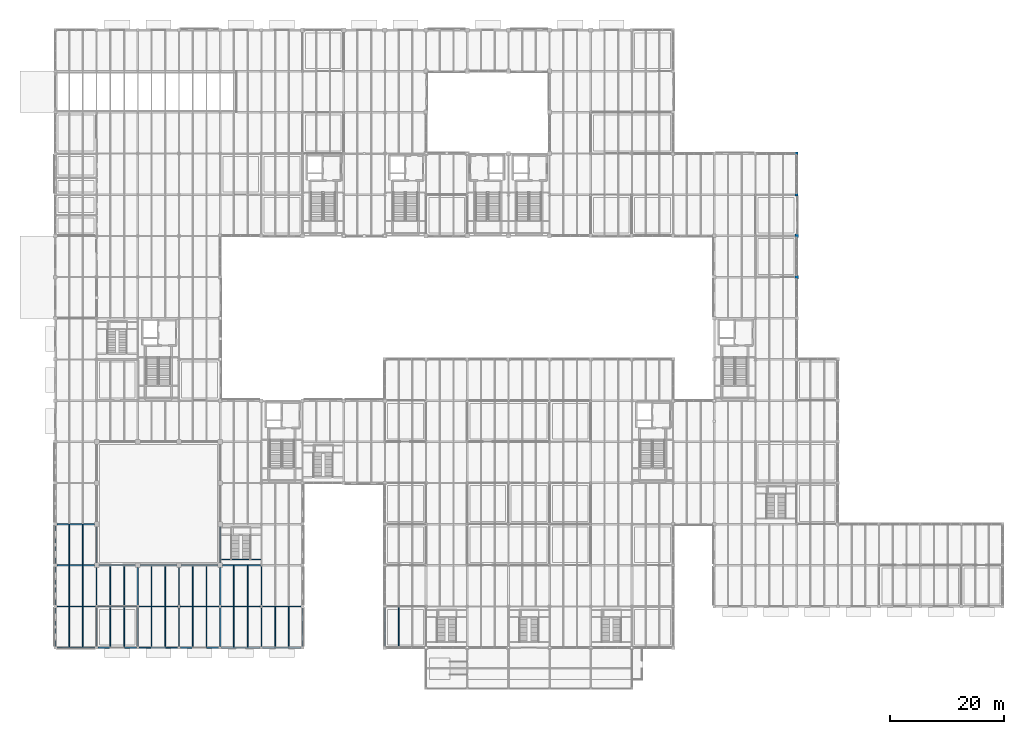
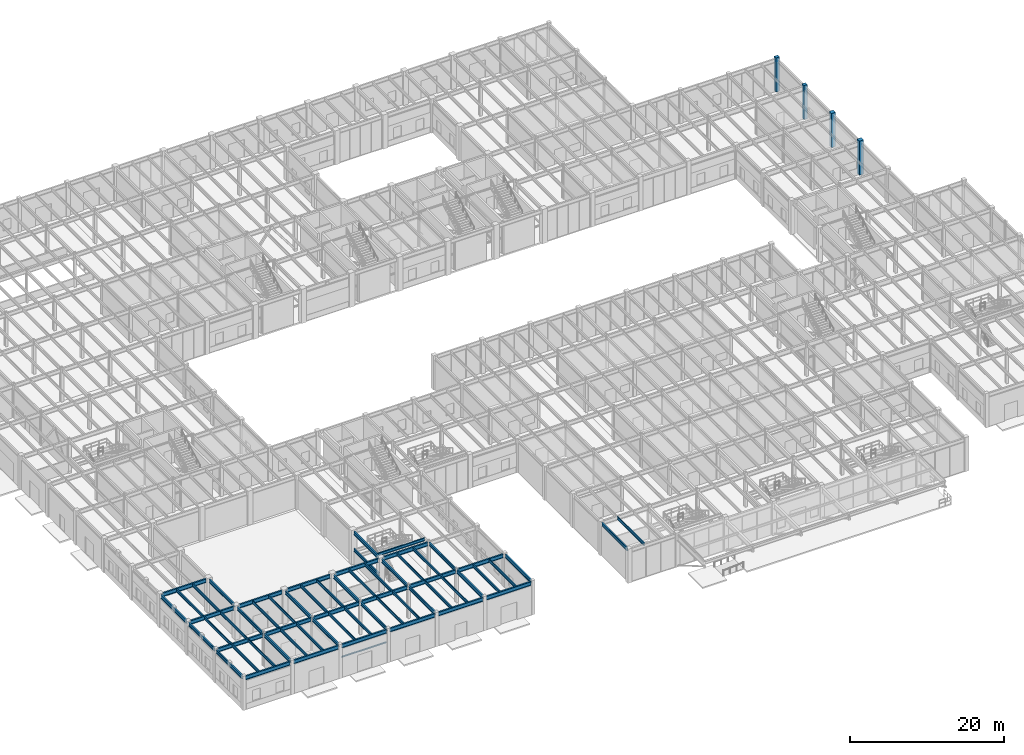
# One storey, part 18 of 97: 63 beams, 4 columns.
"""IFC4 building model written with IfcOpenShell, lengths in metres."""

import ifcopenshell
import ifcopenshell.guid

model = None  # the IFC model being written
_history = None  # IfcOwnerHistory: only IFC2X3 demands one
_inside = {}  # id of a spatial element -> (the spatial element, [elements in it])
_under = {}  # id of a project, library or spatial element -> (it, [spatial elements below it])
_declared = {}  # id of a project -> (the project, [libraries it declares])
_typed = {}  # id of a type object -> (the type object, [elements of that type])
_made_of = {}  # id of a material, layer set ... -> (it, [elements and type objects made of it])


def new_model(schema):
    """Start an empty IFC model of exactly this schema.

    Asked for "IFC4X3", IfcOpenShell would pick the latest addendum, in which some entities
    have other attributes; the version numbers below select the first issue.
    IFC2X3 requires an IfcOwnerHistory on every rooted entity: one is made here for all.
    """
    global model, _history
    if schema == "IFC4X3":
        model = ifcopenshell.file(schema_version=(4, 3, 0, 0))
    else:
        model = ifcopenshell.file(schema=schema)
    _inside.clear()
    _under.clear()
    _declared.clear()
    _typed.clear()
    _made_of.clear()
    _history = None
    if model.schema == "IFC2X3":
        org = make("IfcOrganization", Name="unknown")
        user = make(
            "IfcPersonAndOrganization",
            ThePerson=make("IfcPerson", FamilyName="unknown"),
            TheOrganization=org,
        )
        app = make(
            "IfcApplication",
            ApplicationDeveloper=org,
            Version="unknown",
            ApplicationFullName="unknown",
            ApplicationIdentifier="unknown",
        )
        _history = make(
            "IfcOwnerHistory",
            OwningUser=user,
            OwningApplication=app,
            ChangeAction="ADDED",
            CreationDate=0,
        )
    return model


def make(cls, **values):
    """One entity of the class cls with the attributes given. An attribute that is None is left unset."""
    return model.create_entity(
        cls, **{name: value for name, value in values.items() if value is not None}
    )


def rooted(cls, **values):
    """An entity with a GlobalId (a new one), such as an element, a storey or a relation."""
    return make(cls, GlobalId=ifcopenshell.guid.new(), OwnerHistory=_history, **values)


def si_unit(unit_type, name, prefix=None):
    """IfcSIUnit, for example si_unit("LENGTHUNIT", "METRE", prefix="MILLI")."""
    return make("IfcSIUnit", UnitType=unit_type, Prefix=prefix, Name=name)


def assignment(units):
    """IfcUnitAssignment: the units of a project."""
    return None if units is None else make("IfcUnitAssignment", Units=units)


def point(xyz):
    """IfcCartesianPoint."""
    return None if xyz is None else make("IfcCartesianPoint", Coordinates=xyz)


def direction(xyz):
    """IfcDirection."""
    return None if xyz is None else make("IfcDirection", DirectionRatios=xyz)


def frame(location, z_axis=None, x_axis=None):
    """IfcAxis2Placement3D, a coordinate frame: its origin and axes. An axis left out is left unset."""
    return make(
        "IfcAxis2Placement3D",
        Location=point(location),
        Axis=direction(z_axis),
        RefDirection=direction(x_axis),
    )


def frame_2d(location, x_axis=None):
    """IfcAxis2Placement2D, a coordinate frame in the plane: its origin and x axis."""
    return make(
        "IfcAxis2Placement2D", Location=point(location), RefDirection=direction(x_axis)
    )


def origin():
    """The frame at (0, 0, 0) with its axes left unset."""
    return frame((0.0, 0.0, 0.0))


def origin_2d():
    """The frame at (0, 0) in the plane with its x axis left unset."""
    return frame_2d((0.0, 0.0))


def place(relative_to, where):
    """IfcLocalPlacement: puts the frame where relative to a parent placement (None: the world)."""
    return make(
        "IfcLocalPlacement", PlacementRelTo=relative_to, RelativePlacement=where
    )


def context(
    kind, dimensions, precision=None, world=None, true_north=None, identifier=None
):
    """IfcGeometricRepresentationContext, for example the 3D "Model" context."""
    return make(
        "IfcGeometricRepresentationContext",
        ContextIdentifier=identifier,
        ContextType=kind,
        CoordinateSpaceDimension=dimensions,
        Precision=precision,
        WorldCoordinateSystem=world,
        TrueNorth=true_north,
    )


def subcontext(parent, identifier, kind, view, scale=None):
    """IfcGeometricRepresentationSubContext, for example "Body" below "Model"."""
    return make(
        "IfcGeometricRepresentationSubContext",
        ContextIdentifier=identifier,
        ContextType=kind,
        ParentContext=parent,
        TargetScale=scale,
        TargetView=view,
    )


def project(units=None, contexts=None):
    """IfcProject with its units and contexts."""
    return rooted(
        "IfcProject",
        Name="project",
        RepresentationContexts=contexts,
        UnitsInContext=assignment(units),
    )


def spatial(cls, under=None, at=None, **own):
    """A site, building, storey or space (cls), placed at a placement, below another one or the project."""
    s = rooted(cls, ObjectPlacement=at, **own)
    if under is not None:
        _under.setdefault(under.id(), (under, []))[1].append(s)
    return s


def profile(cls, at=None, kind="AREA", **sizes):
    """A parametric profile (cls). Its sizes go by their IFC names, for example OverallWidth=200.0."""
    return make(cls, ProfileType=kind, Position=at, **sizes)


def rectangle(**sizes):
    """IfcRectangleProfileDef."""
    return profile("IfcRectangleProfileDef", **sizes)


def i_section(**sizes):
    """IfcIShapeProfileDef."""
    return profile("IfcIShapeProfileDef", **sizes)


def extrude(swept, where, along, depth):
    """IfcExtrudedAreaSolid: the profile swept, set in the frame where, extruded along a direction by depth."""
    return make(
        "IfcExtrudedAreaSolid",
        SweptArea=swept,
        Position=where,
        ExtrudedDirection=direction(along),
        Depth=depth,
    )


def shape(context_of_items, identifier, shape_type, items):
    """IfcShapeRepresentation: the items that make up one representation, for example the "Body"."""
    return make(
        "IfcShapeRepresentation",
        ContextOfItems=context_of_items,
        RepresentationIdentifier=identifier,
        RepresentationType=shape_type,
        Items=items,
    )


def material(Name=None, Category=None):
    """IfcMaterial."""
    return make("IfcMaterial", Name=Name, Category=Category)


def material_profile(
    of_material, cross_section, Name=None, Category=None, Priority=None
):
    """IfcMaterialProfile: a cross section and its material."""
    return make(
        "IfcMaterialProfile",
        Name=Name,
        Material=of_material,
        Profile=cross_section,
        Priority=Priority,
        Category=Category,
    )


def profile_set(profiles, Name=None, composite=None):
    """IfcMaterialProfileSet."""
    return make(
        "IfcMaterialProfileSet",
        Name=Name,
        MaterialProfiles=profiles,
        CompositeProfile=composite,
    )


def made_of(thing, what):
    """Note that an element or type object is made of a material, layer set ...; save() writes the relation."""
    if what is not None:
        _made_of.setdefault(what.id(), (what, []))[1].append(thing)
    return thing


def type_object(cls, material=None, **own):
    """A type object (cls), such as IfcWallType, which elements share."""
    return made_of(rooted(cls, **own), material)


def element(
    cls,
    number,
    at=None,
    inside=None,
    cuts=None,
    type_object=None,
    material=None,
    context=None,
    identifier="Body",
    shape_type=None,
    held_by="IfcProductDefinitionShape",
    body=None,
    shapes=None,
    **own,
):
    """One element of the class cls, such as IfcWall. Its Tag is "e" and its number.

    at: its placement. inside: the storey or other place that contains it. cuts: it is an
    opening in that element (IfcRelVoidsElement). A single representation is given by context,
    identifier, shape_type and body (its items); several are given by shapes. held_by: the class
    of the entity that holds the representations. save() writes the other relations.
    """
    e = rooted(cls, Tag="e%d" % number, ObjectPlacement=at, **own)
    if body is not None:
        shapes = [shape(context, identifier, shape_type, body)]
    if shapes is not None:
        e.Representation = make(held_by, Representations=shapes)
    if inside is not None:
        _inside.setdefault(inside.id(), (inside, []))[1].append(e)
    if cuts is not None:
        rooted(
            "IfcRelVoidsElement", RelatingBuildingElement=cuts, RelatedOpeningElement=e
        )
    if type_object is not None:
        _typed.setdefault(type_object.id(), (type_object, []))[1].append(e)
    return made_of(e, material)


def aggregate(whole, parts):
    """IfcRelAggregates: a whole, such as a stair, and the parts it consists of."""
    return rooted("IfcRelAggregates", RelatingObject=whole, RelatedObjects=parts)


def save(model, path):
    """Write the relations noted so far, then the file.

    IfcRelAggregates (storeys below a building ...), IfcRelContainedInSpatialStructure (elements
    in a storey), IfcRelDefinesByType, IfcRelAssociatesMaterial and IfcRelDeclares: one each for
    every whole, place, type object, material and project.
    """
    for whole, parts in _under.values():
        aggregate(whole, parts)
    for where, things in _inside.values():
        rooted(
            "IfcRelContainedInSpatialStructure",
            RelatedElements=things,
            RelatingStructure=where,
        )
    for kind, things in _typed.values():
        rooted("IfcRelDefinesByType", RelatedObjects=things, RelatingType=kind)
    for what, things in _made_of.values():
        rooted("IfcRelAssociatesMaterial", RelatedObjects=things, RelatingMaterial=what)
    for by, libraries in _declared.values():
        rooted("IfcRelDeclares", RelatingContext=by, RelatedDefinitions=libraries)
    model.write(path)


model = new_model("IFC4")

# Units and contexts
model_context = context("Model", 3, precision=1e-05, world=origin(), true_north=direction((0.0, 1.0)))
body_context = subcontext(model_context, "Body", "Model", "MODEL_VIEW")
ifc_project = project(units=[si_unit("LENGTHUNIT", "METRE"), si_unit("AREAUNIT", "SQUARE_METRE"), si_unit("VOLUMEUNIT", "CUBIC_METRE"), si_unit("PLANEANGLEUNIT", "RADIAN"), si_unit("MASSUNIT", "GRAM", prefix="KILO")], contexts=[model_context])

# Site, building, storey
site_placement = place(None, origin())
site = spatial("IfcSite", under=ifc_project, at=site_placement, CompositionType="ELEMENT")
building_placement = place(site_placement, origin())
building = spatial("IfcBuilding", under=site, at=building_placement, Name="Sillqori Civic Hall", CompositionType="ELEMENT")
storey_placement = place(building_placement, origin())
storey = spatial("IfcBuildingStorey", under=building, at=storey_placement, Name="L01", CompositionType="ELEMENT", Elevation=0.0)

# Columns
ifc_material_1 = material(Name="Concrete C35/45 (H35)", Category="concrete")
ifc_material_profile_1 = material_profile(ifc_material_1, rectangle(XDim=0.5, YDim=0.5, at=origin_2d()), Name="RC 500x500")
ifc_profile_set_1 = profile_set([ifc_material_profile_1], Name="Concrete C35/45 (H35)")
column_type_1 = type_object("IfcColumnType", Name="COL-RC500", PredefinedType="COLUMN", material=ifc_profile_set_1)
for number, where, z_axis, x_axis, name in (
    (1, (136.800048828125, 86.39990234375, 0.0), (0.0, 0.0, 1.0), (1.0, 0.0, 0.0), "L01 column 19-12"),
    (2, (136.800048828125, 93.60009765625, 0.0), (0.0, 0.0, 1.0), (1.0, 0.0, 0.0), "L01 column 19-13"),
):
    element("IfcColumn", number, at=place(storey_placement, frame(where, z_axis=z_axis, x_axis=x_axis)), inside=storey, type_object=column_type_1, Name=name, PredefinedType="COLUMN", context=body_context, shape_type="SweptSolid", body=[
        extrude(rectangle(XDim=0.5, YDim=0.5, at=origin_2d()), origin(), (0.0, 0.0, 1.0), 5.39990234375),
    ])
ifc_material_profile_2 = material_profile(ifc_material_1, rectangle(XDim=0.60009765625, YDim=0.60009765625, at=origin_2d()), Name="RC 600x600")
ifc_profile_set_2 = profile_set([ifc_material_profile_2], Name="Concrete C35/45 (H35)")
column_type_2 = type_object("IfcColumnType", Name="COL-RC600", PredefinedType="COLUMN", material=ifc_profile_set_2)
for number, where, z_axis, x_axis, name in (
    (3, (136.800048828125, 72.0, 0.0), (0.0, 0.0, 1.0), (1.0, 0.0, 0.0), "L01 column 19-10"),
    (4, (136.800048828125, 79.199951171875, 0.0), (0.0, 0.0, 1.0), (1.0, 0.0, 0.0), "L01 column 19-11"),
):
    element("IfcColumn", number, at=place(storey_placement, frame(where, z_axis=z_axis, x_axis=x_axis)), inside=storey, type_object=column_type_2, Name=name, PredefinedType="COLUMN", context=body_context, shape_type="SweptSolid", body=[
        extrude(rectangle(XDim=0.60009765625, YDim=0.60009765625, at=origin_2d()), origin(), (0.0, 0.0, 1.0), 5.39990234375),
    ])

# Beams
ifc_material_2 = material(Name="Steel ASTM A992", Category="steel")
ifc_material_profile_3 = material_profile(ifc_material_2, i_section(OverallWidth=0.19091796875, OverallDepth=0.4599609375, WebThickness=0.010009765625, FlangeThickness=0.01611328125, FilletRadius=0.012939453125, at=origin_2d()), Name="W18X55")
ifc_profile_set_3 = profile_set([ifc_material_profile_3], Name="Steel ASTM A992")
beam_type_1 = type_object("IfcBeamType", Name="BM-W18X55", PredefinedType="BEAM", material=ifc_profile_set_3)
beam_1_placement = place(storey_placement, frame((36.0, 21.968994140625, 2.27490234375), z_axis=(0.0, 1.0, 0.0), x_axis=(-1.0, 0.0, 0.0)))
element("IfcBeam", 5, at=beam_1_placement, inside=storey, type_object=beam_type_1, Name="Council Foyer Ceremonial Stair L01-L02 landing stringer girder W", PredefinedType="BEAM", context=body_context, shape_type="SweptSolid", body=[
    extrude(i_section(OverallWidth=0.19091796875, OverallDepth=0.4599609375, WebThickness=0.010009765625, FlangeThickness=0.01611328125, FilletRadius=0.012939453125, at=origin_2d()), origin(), (0.0, 0.0, 1.0), 6.4619140625),
])
beam_2_placement = place(storey_placement, frame((36.0400390625, 22.60009765625, 4.97509765625), z_axis=(1.0, 0.0, 0.0), x_axis=(0.0, 1.0, 0.0)))
element("IfcBeam", 6, at=beam_2_placement, inside=storey, type_object=beam_type_1, Name="Council Foyer Ceremonial Stair L01-L02 upper arrival trimmer beam", PredefinedType="BEAM", context=body_context, shape_type="SweptSolid", body=[
    extrude(i_section(OverallWidth=0.19091796875, OverallDepth=0.4599609375, WebThickness=0.010009765625, FlangeThickness=0.01611328125, FilletRadius=0.012939453125, at=origin_2d()), origin(), (0.0, 0.0, 1.0), 7.119873046875),
])
ifc_material_profile_4 = material_profile(ifc_material_2, i_section(OverallWidth=0.2099609375, OverallDepth=0.532958984375, WebThickness=0.01025390625, FlangeThickness=0.015625, FilletRadius=0.013916015625, at=origin_2d()), Name="W21X62")
ifc_profile_set_4 = profile_set([ifc_material_profile_4], Name="Steel ASTM A992")
beam_type_2 = type_object("IfcBeamType", Name="BM-W21X62", PredefinedType="BEAM", material=ifc_profile_set_4)
beam_3_placement = place(storey_placement, frame((7.199951171875, 7.444091796875, 4.93359375), z_axis=(0.0, 1.0, 0.0), x_axis=(-1.0, 0.0, 0.0)))
element("IfcBeam", 7, at=beam_3_placement, inside=storey, type_object=beam_type_2, Name="L01 girder Y 1-1", PredefinedType="BEAM", context=body_context, shape_type="SweptSolid", body=[
    extrude(i_section(OverallWidth=0.2099609375, OverallDepth=0.532958984375, WebThickness=0.01025390625, FlangeThickness=0.015625, FilletRadius=0.013916015625, at=origin_2d()), origin(), (0.0, 0.0, 1.0), 6.7119140625),
])
beam_4_placement = place(storey_placement, frame((7.199951171875, 14.64404296875, 4.93359375), z_axis=(0.0, 1.0, 0.0), x_axis=(-1.0, 0.0, 0.0)))
element("IfcBeam", 8, at=beam_4_placement, inside=storey, type_object=beam_type_2, Name="L01 girder Y 1-2", PredefinedType="BEAM", context=body_context, shape_type="SweptSolid", body=[
    extrude(i_section(OverallWidth=0.2099609375, OverallDepth=0.532958984375, WebThickness=0.01025390625, FlangeThickness=0.015625, FilletRadius=0.013916015625, at=origin_2d()), origin(), (0.0, 0.0, 1.0), 6.661865234375),
])
beam_5_placement = place(storey_placement, frame((7.199951171875, 21.89404296875, 4.93359375), z_axis=(0.0, 1.0, 0.0), x_axis=(-1.0, 0.0, 0.0)))
element("IfcBeam", 9, at=beam_5_placement, inside=storey, type_object=beam_type_2, Name="L01 girder Y 1-3", PredefinedType="BEAM", context=body_context, shape_type="SweptSolid", body=[
    extrude(i_section(OverallWidth=0.2099609375, OverallDepth=0.532958984375, WebThickness=0.01025390625, FlangeThickness=0.015625, FilletRadius=0.013916015625, at=origin_2d()), origin(), (0.0, 0.0, 1.0), 6.612060546875),
])
beam_6_placement = place(storey_placement, frame((14.39990234375, 7.444091796875, 4.93359375), z_axis=(0.0, 1.0, 0.0), x_axis=(-1.0, 0.0, 0.0)))
element("IfcBeam", 10, at=beam_6_placement, inside=storey, type_object=beam_type_2, Name="L01 girder Y 2-1", PredefinedType="BEAM", context=body_context, shape_type="SweptSolid", body=[
    extrude(i_section(OverallWidth=0.2099609375, OverallDepth=0.532958984375, WebThickness=0.01025390625, FlangeThickness=0.015625, FilletRadius=0.013916015625, at=origin_2d()), origin(), (0.0, 0.0, 1.0), 6.781494140625),
])
beam_7_placement = place(storey_placement, frame((14.39990234375, 14.574462890625, 4.93359375), z_axis=(0.0, 1.0, 0.0), x_axis=(-1.0, 0.0, 0.0)))
element("IfcBeam", 11, at=beam_7_placement, inside=storey, type_object=beam_type_2, Name="L01 girder Y 2-2", PredefinedType="BEAM", context=body_context, shape_type="SweptSolid", body=[
    extrude(i_section(OverallWidth=0.2099609375, OverallDepth=0.532958984375, WebThickness=0.01025390625, FlangeThickness=0.015625, FilletRadius=0.013916015625, at=origin_2d()), origin(), (0.0, 0.0, 1.0), 6.656494140625),
])
beam_8_placement = place(storey_placement, frame((14.39990234375, 21.968994140625, 4.93359375), z_axis=(0.0, 1.0, 0.0), x_axis=(-1.0, 0.0, 0.0)))
element("IfcBeam", 12, at=beam_8_placement, inside=storey, type_object=beam_type_2, Name="L01 girder Y 2-3", PredefinedType="BEAM", context=body_context, shape_type="SweptSolid", body=[
    extrude(i_section(OverallWidth=0.2099609375, OverallDepth=0.532958984375, WebThickness=0.01025390625, FlangeThickness=0.015625, FilletRadius=0.013916015625, at=origin_2d()), origin(), (0.0, 0.0, 1.0), 6.4619140625),
])
beam_9_placement = place(storey_placement, frame((21.60009765625, 7.444091796875, 4.93359375), z_axis=(0.0, 1.0, 0.0), x_axis=(-1.0, 0.0, 0.0)))
element("IfcBeam", 13, at=beam_9_placement, inside=storey, type_object=beam_type_2, Name="L01 girder Y 3-1", PredefinedType="BEAM", context=body_context, shape_type="SweptSolid", body=[
    extrude(i_section(OverallWidth=0.2099609375, OverallDepth=0.532958984375, WebThickness=0.01025390625, FlangeThickness=0.015625, FilletRadius=0.013916015625, at=origin_2d()), origin(), (0.0, 0.0, 1.0), 6.781494140625),
])
beam_10_placement = place(storey_placement, frame((21.60009765625, 14.574462890625, 4.93359375), z_axis=(0.0, 1.0, 0.0), x_axis=(-1.0, 0.0, 0.0)))
element("IfcBeam", 14, at=beam_10_placement, inside=storey, type_object=beam_type_2, Name="L01 girder Y 3-2", PredefinedType="BEAM", context=body_context, shape_type="SweptSolid", body=[
    extrude(i_section(OverallWidth=0.2099609375, OverallDepth=0.532958984375, WebThickness=0.01025390625, FlangeThickness=0.015625, FilletRadius=0.013916015625, at=origin_2d()), origin(), (0.0, 0.0, 1.0), 6.656494140625),
])
beam_11_placement = place(storey_placement, frame((28.800048828125, 7.444091796875, 4.93359375), z_axis=(0.0, 1.0, 0.0), x_axis=(-1.0, 0.0, 0.0)))
element("IfcBeam", 15, at=beam_11_placement, inside=storey, type_object=beam_type_2, Name="L01 girder Y 4-1", PredefinedType="BEAM", context=body_context, shape_type="SweptSolid", body=[
    extrude(i_section(OverallWidth=0.2099609375, OverallDepth=0.532958984375, WebThickness=0.01025390625, FlangeThickness=0.015625, FilletRadius=0.013916015625, at=origin_2d()), origin(), (0.0, 0.0, 1.0), 6.781494140625),
])
beam_12_placement = place(storey_placement, frame((28.800048828125, 14.574462890625, 4.93359375), z_axis=(0.0, 1.0, 0.0), x_axis=(-1.0, 0.0, 0.0)))
element("IfcBeam", 16, at=beam_12_placement, inside=storey, type_object=beam_type_2, Name="L01 girder Y 4-2", PredefinedType="BEAM", context=body_context, shape_type="SweptSolid", body=[
    extrude(i_section(OverallWidth=0.2099609375, OverallDepth=0.532958984375, WebThickness=0.01025390625, FlangeThickness=0.015625, FilletRadius=0.013916015625, at=origin_2d()), origin(), (0.0, 0.0, 1.0), 6.656494140625),
])
beam_13_placement = place(storey_placement, frame((36.0, 7.444091796875, 4.93359375), z_axis=(0.0, 1.0, 0.0), x_axis=(-1.0, 0.0, 0.0)))
element("IfcBeam", 17, at=beam_13_placement, inside=storey, type_object=beam_type_2, Name="L01 girder Y 5-1", PredefinedType="BEAM", context=body_context, shape_type="SweptSolid", body=[
    extrude(i_section(OverallWidth=0.2099609375, OverallDepth=0.532958984375, WebThickness=0.01025390625, FlangeThickness=0.015625, FilletRadius=0.013916015625, at=origin_2d()), origin(), (0.0, 0.0, 1.0), 6.781494140625),
])
beam_14_placement = place(storey_placement, frame((36.0, 14.574462890625, 4.93359375), z_axis=(0.0, 1.0, 0.0), x_axis=(-1.0, 0.0, 0.0)))
element("IfcBeam", 18, at=beam_14_placement, inside=storey, type_object=beam_type_2, Name="L01 girder Y 5-2", PredefinedType="BEAM", context=body_context, shape_type="SweptSolid", body=[
    extrude(i_section(OverallWidth=0.2099609375, OverallDepth=0.532958984375, WebThickness=0.01025390625, FlangeThickness=0.015625, FilletRadius=0.013916015625, at=origin_2d()), origin(), (0.0, 0.0, 1.0), 6.656494140625),
])
beam_15_placement = place(storey_placement, frame((36.0, 21.968994140625, 4.93359375), z_axis=(0.0, 1.0, 0.0), x_axis=(-1.0, 0.0, 0.0)))
element("IfcBeam", 19, at=beam_15_placement, inside=storey, type_object=beam_type_2, Name="L01 girder Y 5-3", PredefinedType="BEAM", context=body_context, shape_type="SweptSolid", body=[
    extrude(i_section(OverallWidth=0.2099609375, OverallDepth=0.532958984375, WebThickness=0.01025390625, FlangeThickness=0.015625, FilletRadius=0.013916015625, at=origin_2d()), origin(), (0.0, 0.0, 1.0), 6.4619140625),
])
beam_16_placement = place(storey_placement, frame((43.199951171875, 7.444091796875, 4.93359375), z_axis=(0.0, 1.0, 0.0), x_axis=(-1.0, 0.0, 0.0)))
element("IfcBeam", 20, at=beam_16_placement, inside=storey, type_object=beam_type_2, Name="L01 girder Y 6-1", PredefinedType="BEAM", context=body_context, shape_type="SweptSolid", body=[
    extrude(i_section(OverallWidth=0.2099609375, OverallDepth=0.532958984375, WebThickness=0.01025390625, FlangeThickness=0.015625, FilletRadius=0.013916015625, at=origin_2d()), origin(), (0.0, 0.0, 1.0), 6.781494140625),
])
beam_17_placement = place(storey_placement, frame((43.199951171875, 14.574462890625, 4.93359375), z_axis=(0.0, 1.0, 0.0), x_axis=(-1.0, 0.0, 0.0)))
element("IfcBeam", 21, at=beam_17_placement, inside=storey, type_object=beam_type_2, Name="L01 girder Y 6-2", PredefinedType="BEAM", context=body_context, shape_type="SweptSolid", body=[
    extrude(i_section(OverallWidth=0.2099609375, OverallDepth=0.532958984375, WebThickness=0.01025390625, FlangeThickness=0.015625, FilletRadius=0.013916015625, at=origin_2d()), origin(), (0.0, 0.0, 1.0), 6.84765625),
])
beam_18_placement = place(storey_placement, frame((50.39990234375, 7.444091796875, 4.93359375), z_axis=(0.0, 1.0, 0.0), x_axis=(-1.0, 0.0, 0.0)))
element("IfcBeam", 22, at=beam_18_placement, inside=storey, type_object=beam_type_2, Name="L01 girder Y 7-1", PredefinedType="BEAM", context=body_context, shape_type="SweptSolid", body=[
    extrude(i_section(OverallWidth=0.2099609375, OverallDepth=0.532958984375, WebThickness=0.01025390625, FlangeThickness=0.015625, FilletRadius=0.013916015625, at=origin_2d()), origin(), (0.0, 0.0, 1.0), 6.7119140625),
])
beam_19_placement = place(storey_placement, frame((64.800048828125, 7.493896484375, 4.93359375), z_axis=(0.0, 1.0, 0.0), x_axis=(-1.0, 0.0, 0.0)))
element("IfcBeam", 23, at=beam_19_placement, inside=storey, type_object=beam_type_2, Name="L01 girder Y 9-1", PredefinedType="BEAM", context=body_context, shape_type="SweptSolid", body=[
    extrude(i_section(OverallWidth=0.2099609375, OverallDepth=0.532958984375, WebThickness=0.01025390625, FlangeThickness=0.015625, FilletRadius=0.013916015625, at=origin_2d()), origin(), (0.0, 0.0, 1.0), 6.612060546875),
])
ifc_material_profile_5 = material_profile(ifc_material_2, i_section(OverallWidth=0.22802734375, OverallDepth=0.60205078125, WebThickness=0.010498046875, FlangeThickness=0.014892578125, FilletRadius=0.014892578125, at=origin_2d()), Name="W24X68")
ifc_profile_set_5 = profile_set([ifc_material_profile_5], Name="Steel ASTM A992")
beam_type_3 = type_object("IfcBeamType", Name="BM-W24X68", PredefinedType="BEAM", material=ifc_profile_set_5)
beam_20_placement = place(storey_placement, frame((7.444091796875, 7.199951171875, 4.89892578125), z_axis=(1.0, 0.0, 0.0), x_axis=(0.0, 1.0, 0.0)))
element("IfcBeam", 24, at=beam_20_placement, inside=storey, type_object=beam_type_3, Name="L01 girder X 1-1", PredefinedType="BEAM", context=body_context, shape_type="SweptSolid", body=[
    extrude(i_section(OverallWidth=0.22802734375, OverallDepth=0.60205078125, WebThickness=0.010498046875, FlangeThickness=0.014892578125, FilletRadius=0.014892578125, at=origin_2d()), origin(), (0.0, 0.0, 1.0), 6.7119140625),
])
beam_21_placement = place(storey_placement, frame((7.444091796875, 14.39990234375, 4.89892578125), z_axis=(1.0, 0.0, 0.0), x_axis=(0.0, 1.0, 0.0)))
element("IfcBeam", 25, at=beam_21_placement, inside=storey, type_object=beam_type_3, Name="L01 girder X 1-2", PredefinedType="BEAM", context=body_context, shape_type="SweptSolid", body=[
    extrude(i_section(OverallWidth=0.22802734375, OverallDepth=0.60205078125, WebThickness=0.010498046875, FlangeThickness=0.014892578125, FilletRadius=0.014892578125, at=origin_2d()), origin(), (0.0, 0.0, 1.0), 6.7763671875),
])
for number, where, z_axis, x_axis, name in (
    (26, (7.493896484375, 21.60009765625, 4.89892578125), (1.0, 0.0, 0.0), (0.0, 1.0, 0.0), "L01 girder X 1-3"),
    (27, (7.493896484375, 28.800048828125, 4.89892578125), (1.0, 0.0, 0.0), (0.0, 1.0, 0.0), "L01 girder X 1-4"),
):
    element("IfcBeam", number, at=place(storey_placement, frame(where, z_axis=z_axis, x_axis=x_axis)), inside=storey, type_object=beam_type_3, Name=name, PredefinedType="BEAM", context=body_context, shape_type="SweptSolid", body=[
        extrude(i_section(OverallWidth=0.22802734375, OverallDepth=0.60205078125, WebThickness=0.010498046875, FlangeThickness=0.014892578125, FilletRadius=0.014892578125, at=origin_2d()), origin(), (0.0, 0.0, 1.0), 6.537109375),
    ])
beam_22_placement = place(storey_placement, frame((14.64404296875, 7.199951171875, 4.89892578125), z_axis=(1.0, 0.0, 0.0), x_axis=(0.0, 1.0, 0.0)))
element("IfcBeam", 28, at=beam_22_placement, inside=storey, type_object=beam_type_3, Name="L01 girder X 2-1", PredefinedType="BEAM", context=body_context, shape_type="SweptSolid", body=[
    extrude(i_section(OverallWidth=0.22802734375, OverallDepth=0.60205078125, WebThickness=0.010498046875, FlangeThickness=0.014892578125, FilletRadius=0.014892578125, at=origin_2d()), origin(), (0.0, 0.0, 1.0), 6.7119140625),
])
beam_23_placement = place(storey_placement, frame((14.57958984375, 14.39990234375, 4.89892578125), z_axis=(1.0, 0.0, 0.0), x_axis=(0.0, 1.0, 0.0)))
element("IfcBeam", 29, at=beam_23_placement, inside=storey, type_object=beam_type_3, Name="L01 girder X 2-2", PredefinedType="BEAM", context=body_context, shape_type="SweptSolid", body=[
    extrude(i_section(OverallWidth=0.22802734375, OverallDepth=0.60205078125, WebThickness=0.010498046875, FlangeThickness=0.014892578125, FilletRadius=0.014892578125, at=origin_2d()), origin(), (0.0, 0.0, 1.0), 6.8408203125),
])
beam_24_placement = place(storey_placement, frame((14.76904296875, 21.60009765625, 4.89892578125), z_axis=(1.0, 0.0, 0.0), x_axis=(0.0, 1.0, 0.0)))
element("IfcBeam", 30, at=beam_24_placement, inside=storey, type_object=beam_type_3, Name="L01 girder X 2-3", PredefinedType="BEAM", context=body_context, shape_type="SweptSolid", body=[
    extrude(i_section(OverallWidth=0.22802734375, OverallDepth=0.60205078125, WebThickness=0.010498046875, FlangeThickness=0.014892578125, FilletRadius=0.014892578125, at=origin_2d()), origin(), (0.0, 0.0, 1.0), 6.4619140625),
])
beam_25_placement = place(storey_placement, frame((21.843994140625, 7.199951171875, 4.89892578125), z_axis=(1.0, 0.0, 0.0), x_axis=(0.0, 1.0, 0.0)))
element("IfcBeam", 31, at=beam_25_placement, inside=storey, type_object=beam_type_3, Name="L01 girder X 3-1", PredefinedType="BEAM", context=body_context, shape_type="SweptSolid", body=[
    extrude(i_section(OverallWidth=0.22802734375, OverallDepth=0.60205078125, WebThickness=0.010498046875, FlangeThickness=0.014892578125, FilletRadius=0.014892578125, at=origin_2d()), origin(), (0.0, 0.0, 1.0), 6.7119140625),
])
beam_26_placement = place(storey_placement, frame((21.779541015625, 14.39990234375, 4.89892578125), z_axis=(1.0, 0.0, 0.0), x_axis=(0.0, 1.0, 0.0)))
element("IfcBeam", 32, at=beam_26_placement, inside=storey, type_object=beam_type_3, Name="L01 girder X 3-2", PredefinedType="BEAM", context=body_context, shape_type="SweptSolid", body=[
    extrude(i_section(OverallWidth=0.22802734375, OverallDepth=0.60205078125, WebThickness=0.010498046875, FlangeThickness=0.014892578125, FilletRadius=0.014892578125, at=origin_2d()), origin(), (0.0, 0.0, 1.0), 6.841064453125),
])
beam_27_placement = place(storey_placement, frame((21.968994140625, 21.60009765625, 4.89892578125), z_axis=(1.0, 0.0, 0.0), x_axis=(0.0, 1.0, 0.0)))
element("IfcBeam", 33, at=beam_27_placement, inside=storey, type_object=beam_type_3, Name="L01 girder X 3-3", PredefinedType="BEAM", context=body_context, shape_type="SweptSolid", body=[
    extrude(i_section(OverallWidth=0.22802734375, OverallDepth=0.60205078125, WebThickness=0.010498046875, FlangeThickness=0.014892578125, FilletRadius=0.014892578125, at=origin_2d()), origin(), (0.0, 0.0, 1.0), 6.4619140625),
])
beam_28_placement = place(storey_placement, frame((29.0439453125, 7.199951171875, 4.89892578125), z_axis=(1.0, 0.0, 0.0), x_axis=(0.0, 1.0, 0.0)))
element("IfcBeam", 34, at=beam_28_placement, inside=storey, type_object=beam_type_3, Name="L01 girder X 4-1", PredefinedType="BEAM", context=body_context, shape_type="SweptSolid", body=[
    extrude(i_section(OverallWidth=0.22802734375, OverallDepth=0.60205078125, WebThickness=0.010498046875, FlangeThickness=0.014892578125, FilletRadius=0.014892578125, at=origin_2d()), origin(), (0.0, 0.0, 1.0), 6.712158203125),
])
beam_29_placement = place(storey_placement, frame((28.9794921875, 14.39990234375, 4.89892578125), z_axis=(1.0, 0.0, 0.0), x_axis=(0.0, 1.0, 0.0)))
element("IfcBeam", 35, at=beam_29_placement, inside=storey, type_object=beam_type_3, Name="L01 girder X 4-2", PredefinedType="BEAM", context=body_context, shape_type="SweptSolid", body=[
    extrude(i_section(OverallWidth=0.22802734375, OverallDepth=0.60205078125, WebThickness=0.010498046875, FlangeThickness=0.014892578125, FilletRadius=0.014892578125, at=origin_2d()), origin(), (0.0, 0.0, 1.0), 6.841064453125),
])
beam_30_placement = place(storey_placement, frame((29.1689453125, 21.60009765625, 4.89892578125), z_axis=(1.0, 0.0, 0.0), x_axis=(0.0, 1.0, 0.0)))
element("IfcBeam", 36, at=beam_30_placement, inside=storey, type_object=beam_type_3, Name="L01 girder X 4-3", PredefinedType="BEAM", context=body_context, shape_type="SweptSolid", body=[
    extrude(i_section(OverallWidth=0.22802734375, OverallDepth=0.60205078125, WebThickness=0.010498046875, FlangeThickness=0.014892578125, FilletRadius=0.014892578125, at=origin_2d()), origin(), (0.0, 0.0, 1.0), 6.462158203125),
])
beam_31_placement = place(storey_placement, frame((36.243896484375, 7.199951171875, 4.89892578125), z_axis=(1.0, 0.0, 0.0), x_axis=(0.0, 1.0, 0.0)))
element("IfcBeam", 37, at=beam_31_placement, inside=storey, type_object=beam_type_3, Name="L01 girder X 5-1", PredefinedType="BEAM", context=body_context, shape_type="SweptSolid", body=[
    extrude(i_section(OverallWidth=0.22802734375, OverallDepth=0.60205078125, WebThickness=0.010498046875, FlangeThickness=0.014892578125, FilletRadius=0.014892578125, at=origin_2d()), origin(), (0.0, 0.0, 1.0), 6.712158203125),
])
beam_32_placement = place(storey_placement, frame((36.179443359375, 14.39990234375, 4.89892578125), z_axis=(1.0, 0.0, 0.0), x_axis=(0.0, 1.0, 0.0)))
element("IfcBeam", 38, at=beam_32_placement, inside=storey, type_object=beam_type_3, Name="L01 girder X 5-2", PredefinedType="BEAM", context=body_context, shape_type="SweptSolid", body=[
    extrude(i_section(OverallWidth=0.22802734375, OverallDepth=0.60205078125, WebThickness=0.010498046875, FlangeThickness=0.014892578125, FilletRadius=0.014892578125, at=origin_2d()), origin(), (0.0, 0.0, 1.0), 6.841064453125),
])
beam_33_placement = place(storey_placement, frame((36.368896484375, 21.60009765625, 4.89892578125), z_axis=(1.0, 0.0, 0.0), x_axis=(0.0, 1.0, 0.0)))
element("IfcBeam", 39, at=beam_33_placement, inside=storey, type_object=beam_type_3, Name="L01 girder X 5-3", PredefinedType="BEAM", context=body_context, shape_type="SweptSolid", body=[
    extrude(i_section(OverallWidth=0.22802734375, OverallDepth=0.60205078125, WebThickness=0.010498046875, FlangeThickness=0.014892578125, FilletRadius=0.014892578125, at=origin_2d()), origin(), (0.0, 0.0, 1.0), 6.650634765625),
])
beam_34_placement = place(storey_placement, frame((43.444091796875, 7.199951171875, 4.89892578125), z_axis=(1.0, 0.0, 0.0), x_axis=(0.0, 1.0, 0.0)))
element("IfcBeam", 40, at=beam_34_placement, inside=storey, type_object=beam_type_3, Name="L01 girder X 6-1", PredefinedType="BEAM", context=body_context, shape_type="SweptSolid", body=[
    extrude(i_section(OverallWidth=0.22802734375, OverallDepth=0.60205078125, WebThickness=0.010498046875, FlangeThickness=0.014892578125, FilletRadius=0.014892578125, at=origin_2d()), origin(), (0.0, 0.0, 1.0), 6.7119140625),
])
beam_35_placement = place(storey_placement, frame((43.37939453125, 14.39990234375, 4.89892578125), z_axis=(1.0, 0.0, 0.0), x_axis=(0.0, 1.0, 0.0)))
element("IfcBeam", 41, at=beam_35_placement, inside=storey, type_object=beam_type_3, Name="L01 girder X 6-2", PredefinedType="BEAM", context=body_context, shape_type="SweptSolid", body=[
    extrude(i_section(OverallWidth=0.22802734375, OverallDepth=0.60205078125, WebThickness=0.010498046875, FlangeThickness=0.014892578125, FilletRadius=0.014892578125, at=origin_2d()), origin(), (0.0, 0.0, 1.0), 6.776611328125),
])
ifc_material_profile_6 = material_profile(ifc_material_2, i_section(OverallWidth=0.153076171875, OverallDepth=0.455078125, WebThickness=0.008056640625, FlangeThickness=0.01318359375, FilletRadius=0.012939453125, at=origin_2d()), Name="W18X40")
ifc_profile_set_6 = profile_set([ifc_material_profile_6], Name="Steel ASTM A992")
beam_type_4 = type_object("IfcBeamType", Name="JS-W18X40", PredefinedType="JOIST", material=ifc_profile_set_6)
for number, where, z_axis, x_axis, name in (
    (42, (9.60009765625, 7.294921875, 4.972412109375), (0.0, 1.0, 0.0), (-1.0, 0.0, 0.0), "L01 composite joist 1-1.1"),
    (43, (12.0, 7.294921875, 4.972412109375), (0.0, 1.0, 0.0), (-1.0, 0.0, 0.0), "L01 composite joist 1-1.2"),
):
    element("IfcBeam", number, at=place(storey_placement, frame(where, z_axis=z_axis, x_axis=x_axis)), inside=storey, type_object=beam_type_4, Name=name, PredefinedType="JOIST", context=body_context, shape_type="SweptSolid", body=[
        extrude(i_section(OverallWidth=0.153076171875, OverallDepth=0.455078125, WebThickness=0.008056640625, FlangeThickness=0.01318359375, FilletRadius=0.012939453125, at=origin_2d()), origin(), (0.0, 0.0, 1.0), 7.010009765625),
    ])
for number, where, z_axis, x_axis, name in (
    (44, (9.60009765625, 14.4951171875, 4.972412109375), (0.0, 1.0, 0.0), (-1.0, 0.0, 0.0), "L01 composite joist 1-2.1"),
    (45, (12.0, 14.4951171875, 4.972412109375), (0.0, 1.0, 0.0), (-1.0, 0.0, 0.0), "L01 composite joist 1-2.2"),
):
    element("IfcBeam", number, at=place(storey_placement, frame(where, z_axis=z_axis, x_axis=x_axis)), inside=storey, type_object=beam_type_4, Name=name, PredefinedType="JOIST", context=body_context, shape_type="SweptSolid", body=[
        extrude(i_section(OverallWidth=0.153076171875, OverallDepth=0.455078125, WebThickness=0.008056640625, FlangeThickness=0.01318359375, FilletRadius=0.012939453125, at=origin_2d()), origin(), (0.0, 0.0, 1.0), 7.009765625),
    ])
for number, where, z_axis, x_axis, name in (
    (46, (9.60009765625, 21.695068359375, 4.972412109375), (0.0, 1.0, 0.0), (-1.0, 0.0, 0.0), "L01 composite joist 1-3.1"),
    (47, (12.0, 21.695068359375, 4.972412109375), (0.0, 1.0, 0.0), (-1.0, 0.0, 0.0), "L01 composite joist 1-3.2"),
    (48, (16.800048828125, 7.294921875, 4.972412109375), (0.0, 1.0, 0.0), (-1.0, 0.0, 0.0), "L01 composite joist 2-1.1"),
    (49, (19.199951171875, 7.294921875, 4.972412109375), (0.0, 1.0, 0.0), (-1.0, 0.0, 0.0), "L01 composite joist 2-1.2"),
):
    element("IfcBeam", number, at=place(storey_placement, frame(where, z_axis=z_axis, x_axis=x_axis)), inside=storey, type_object=beam_type_4, Name=name, PredefinedType="JOIST", context=body_context, shape_type="SweptSolid", body=[
        extrude(i_section(OverallWidth=0.153076171875, OverallDepth=0.455078125, WebThickness=0.008056640625, FlangeThickness=0.01318359375, FilletRadius=0.012939453125, at=origin_2d()), origin(), (0.0, 0.0, 1.0), 7.010009765625),
    ])
for number, where, z_axis, x_axis, name in (
    (50, (16.800048828125, 14.4951171875, 4.972412109375), (0.0, 1.0, 0.0), (-1.0, 0.0, 0.0), "L01 composite joist 2-2.1"),
    (51, (19.199951171875, 14.4951171875, 4.972412109375), (0.0, 1.0, 0.0), (-1.0, 0.0, 0.0), "L01 composite joist 2-2.2"),
):
    element("IfcBeam", number, at=place(storey_placement, frame(where, z_axis=z_axis, x_axis=x_axis)), inside=storey, type_object=beam_type_4, Name=name, PredefinedType="JOIST", context=body_context, shape_type="SweptSolid", body=[
        extrude(i_section(OverallWidth=0.153076171875, OverallDepth=0.455078125, WebThickness=0.008056640625, FlangeThickness=0.01318359375, FilletRadius=0.012939453125, at=origin_2d()), origin(), (0.0, 0.0, 1.0), 7.009765625),
    ])
for number, where, z_axis, x_axis, name in (
    (52, (24.0, 7.294921875, 4.972412109375), (0.0, 1.0, 0.0), (-1.0, 0.0, 0.0), "L01 composite joist 3-1.1"),
    (53, (26.39990234375, 7.294921875, 4.972412109375), (0.0, 1.0, 0.0), (-1.0, 0.0, 0.0), "L01 composite joist 3-1.2"),
):
    element("IfcBeam", number, at=place(storey_placement, frame(where, z_axis=z_axis, x_axis=x_axis)), inside=storey, type_object=beam_type_4, Name=name, PredefinedType="JOIST", context=body_context, shape_type="SweptSolid", body=[
        extrude(i_section(OverallWidth=0.153076171875, OverallDepth=0.455078125, WebThickness=0.008056640625, FlangeThickness=0.01318359375, FilletRadius=0.012939453125, at=origin_2d()), origin(), (0.0, 0.0, 1.0), 7.010009765625),
    ])
for number, where, z_axis, x_axis, name in (
    (54, (24.0, 14.4951171875, 4.972412109375), (0.0, 1.0, 0.0), (-1.0, 0.0, 0.0), "L01 composite joist 3-2.1"),
    (55, (26.39990234375, 14.4951171875, 4.972412109375), (0.0, 1.0, 0.0), (-1.0, 0.0, 0.0), "L01 composite joist 3-2.2"),
):
    element("IfcBeam", number, at=place(storey_placement, frame(where, z_axis=z_axis, x_axis=x_axis)), inside=storey, type_object=beam_type_4, Name=name, PredefinedType="JOIST", context=body_context, shape_type="SweptSolid", body=[
        extrude(i_section(OverallWidth=0.153076171875, OverallDepth=0.455078125, WebThickness=0.008056640625, FlangeThickness=0.01318359375, FilletRadius=0.012939453125, at=origin_2d()), origin(), (0.0, 0.0, 1.0), 7.009765625),
    ])
for number, where, z_axis, x_axis, name in (
    (56, (31.199951171875, 7.294921875, 4.972412109375), (0.0, 1.0, 0.0), (-1.0, 0.0, 0.0), "L01 composite joist 4-1.1"),
    (57, (33.60009765625, 7.294921875, 4.972412109375), (0.0, 1.0, 0.0), (-1.0, 0.0, 0.0), "L01 composite joist 4-1.2"),
):
    element("IfcBeam", number, at=place(storey_placement, frame(where, z_axis=z_axis, x_axis=x_axis)), inside=storey, type_object=beam_type_4, Name=name, PredefinedType="JOIST", context=body_context, shape_type="SweptSolid", body=[
        extrude(i_section(OverallWidth=0.153076171875, OverallDepth=0.455078125, WebThickness=0.008056640625, FlangeThickness=0.01318359375, FilletRadius=0.012939453125, at=origin_2d()), origin(), (0.0, 0.0, 1.0), 7.010009765625),
    ])
for number, where, z_axis, x_axis, name in (
    (58, (31.199951171875, 14.4951171875, 4.972412109375), (0.0, 1.0, 0.0), (-1.0, 0.0, 0.0), "L01 composite joist 4-2.1"),
    (59, (33.60009765625, 14.4951171875, 4.972412109375), (0.0, 1.0, 0.0), (-1.0, 0.0, 0.0), "L01 composite joist 4-2.2"),
):
    element("IfcBeam", number, at=place(storey_placement, frame(where, z_axis=z_axis, x_axis=x_axis)), inside=storey, type_object=beam_type_4, Name=name, PredefinedType="JOIST", context=body_context, shape_type="SweptSolid", body=[
        extrude(i_section(OverallWidth=0.153076171875, OverallDepth=0.455078125, WebThickness=0.008056640625, FlangeThickness=0.01318359375, FilletRadius=0.012939453125, at=origin_2d()), origin(), (0.0, 0.0, 1.0), 7.009765625),
    ])
for number, where, z_axis, x_axis, name in (
    (60, (38.39990234375, 7.294921875, 4.972412109375), (0.0, 1.0, 0.0), (-1.0, 0.0, 0.0), "L01 composite joist 5-1.1"),
    (61, (40.800048828125, 7.294921875, 4.972412109375), (0.0, 1.0, 0.0), (-1.0, 0.0, 0.0), "L01 composite joist 5-1.2"),
):
    element("IfcBeam", number, at=place(storey_placement, frame(where, z_axis=z_axis, x_axis=x_axis)), inside=storey, type_object=beam_type_4, Name=name, PredefinedType="JOIST", context=body_context, shape_type="SweptSolid", body=[
        extrude(i_section(OverallWidth=0.153076171875, OverallDepth=0.455078125, WebThickness=0.008056640625, FlangeThickness=0.01318359375, FilletRadius=0.012939453125, at=origin_2d()), origin(), (0.0, 0.0, 1.0), 7.010009765625),
    ])
for number, where, z_axis, x_axis, name in (
    (62, (38.39990234375, 14.4951171875, 4.972412109375), (0.0, 1.0, 0.0), (-1.0, 0.0, 0.0), "L01 composite joist 5-2.1"),
    (63, (40.800048828125, 14.4951171875, 4.972412109375), (0.0, 1.0, 0.0), (-1.0, 0.0, 0.0), "L01 composite joist 5-2.2"),
):
    element("IfcBeam", number, at=place(storey_placement, frame(where, z_axis=z_axis, x_axis=x_axis)), inside=storey, type_object=beam_type_4, Name=name, PredefinedType="JOIST", context=body_context, shape_type="SweptSolid", body=[
        extrude(i_section(OverallWidth=0.153076171875, OverallDepth=0.455078125, WebThickness=0.008056640625, FlangeThickness=0.01318359375, FilletRadius=0.012939453125, at=origin_2d()), origin(), (0.0, 0.0, 1.0), 7.009765625),
    ])
for number, where, z_axis, x_axis, name in (
    (64, (45.60009765625, 7.294921875, 4.972412109375), (0.0, 1.0, 0.0), (-1.0, 0.0, 0.0), "L01 composite joist 6-1.1"),
    (65, (48.0, 7.294921875, 4.972412109375), (0.0, 1.0, 0.0), (-1.0, 0.0, 0.0), "L01 composite joist 6-1.2"),
    (66, (67.199951171875, 7.294921875, 4.972412109375), (0.0, 1.0, 0.0), (-1.0, 0.0, 0.0), "L01 composite joist 9-1.1"),
):
    element("IfcBeam", number, at=place(storey_placement, frame(where, z_axis=z_axis, x_axis=x_axis)), inside=storey, type_object=beam_type_4, Name=name, PredefinedType="JOIST", context=body_context, shape_type="SweptSolid", body=[
        extrude(i_section(OverallWidth=0.153076171875, OverallDepth=0.455078125, WebThickness=0.008056640625, FlangeThickness=0.01318359375, FilletRadius=0.012939453125, at=origin_2d()), origin(), (0.0, 0.0, 1.0), 7.010009765625),
    ])
ifc_material_profile_7 = material_profile(ifc_material_2, i_section(OverallWidth=0.133056640625, OverallDepth=0.20703125, WebThickness=0.005859375, FlangeThickness=0.00830078125, FilletRadius=0.008056640625, at=origin_2d()), Name="W8X18")
ifc_profile_set_7 = profile_set([ifc_material_profile_7], Name="Steel ASTM A992")
beam_type_5 = type_object("IfcBeamType", Name="LN-W8X18", PredefinedType="LINTEL", material=ifc_profile_set_7)
beam_36_placement = place(storey_placement, frame((21.843994140625, 7.199951171875, 3.14990234375), z_axis=(1.0, 0.0, 0.0), x_axis=(0.0, 1.0, 0.0)))
element("IfcBeam", 67, at=beam_36_placement, inside=storey, type_object=beam_type_5, Name="Council foyer street portal lintel", PredefinedType="LINTEL", context=body_context, shape_type="SweptSolid", body=[
    extrude(i_section(OverallWidth=0.133056640625, OverallDepth=0.20703125, WebThickness=0.005859375, FlangeThickness=0.00830078125, FilletRadius=0.008056640625, at=origin_2d()), origin(), (0.0, 0.0, 1.0), 6.7119140625),
])

save(model, "model.ifc")
